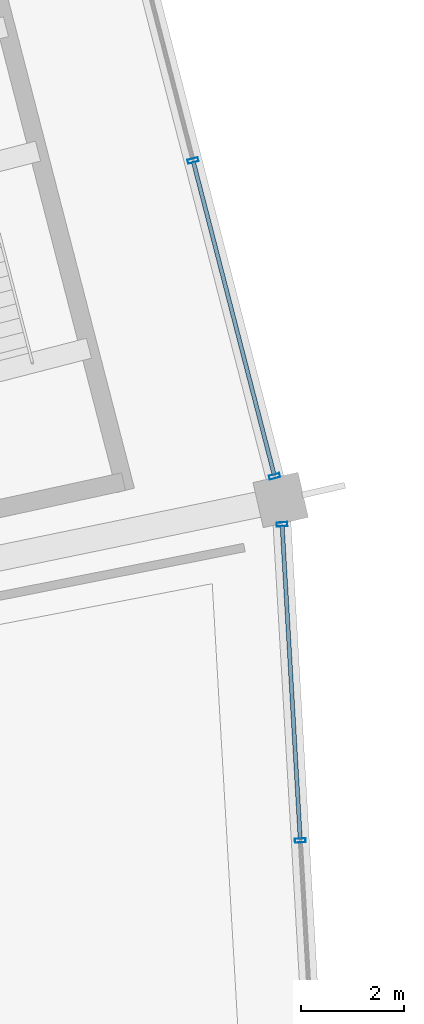
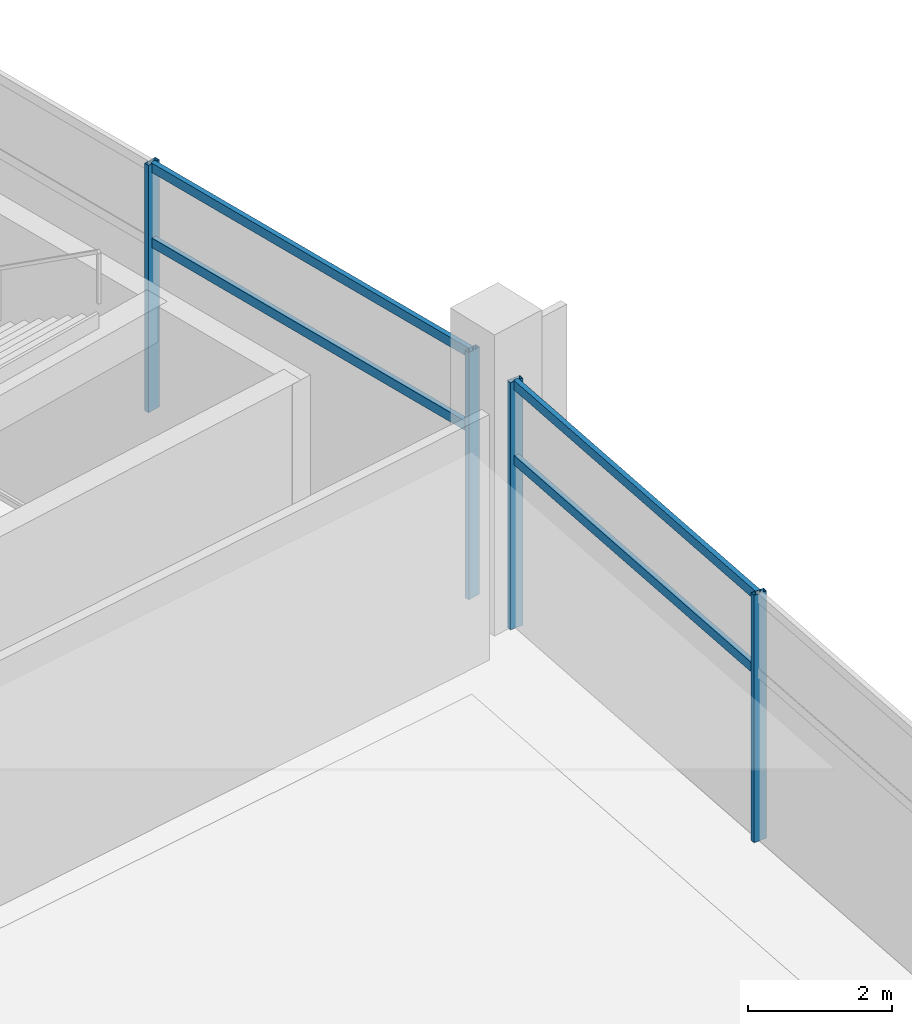
# One storey, part 90 of 184: 8 members, 2 elements without a shape of their own.
"""IFC4 building model written with IfcOpenShell, lengths in metres."""

from ifc_helpers import new_model, si_unit, direction, frame, origin, origin_2d, place, context, subcontext, project, spatial, hollow_rectangle, extrude, material, layer, layer_set, material_profile, profile_set, type_object, element, aggregate, save


model = new_model("IFC4")

# Units and contexts
model_context = context("Model", 3, precision=1e-05, world=origin(), true_north=direction((0.0, 1.0)))
body_context = subcontext(model_context, "Body", "Model", "MODEL_VIEW")
ifc_project = project(units=[si_unit("LENGTHUNIT", "METRE"), si_unit("AREAUNIT", "SQUARE_METRE"), si_unit("VOLUMEUNIT", "CUBIC_METRE"), si_unit("PLANEANGLEUNIT", "RADIAN"), si_unit("MASSUNIT", "GRAM", prefix="KILO")], contexts=[model_context])

# Site, building, storey
site_placement = place(None, origin())
site = spatial("IfcSite", under=ifc_project, at=site_placement, CompositionType="ELEMENT")
building_placement = place(site_placement, origin())
building = spatial("IfcBuilding", under=site, at=building_placement, Name="Kazemori Nagisa Stadium", CompositionType="ELEMENT")
storey_placement = place(building_placement, frame((0.0, 0.0, 10.5400390625)))
storey = spatial("IfcBuildingStorey", under=building, at=storey_placement, Name="L02", CompositionType="ELEMENT", Elevation=10.5400390625)

# Curtain wall, members
ifc_material_1 = material(Name="Anodised aluminium 6063-T5", Category="aluminium")
ifc_layer_1 = layer(ifc_material_1, 0.2099609375, Name="Anodised aluminium 6063-T5", Category="aluminium")
ifc_layer_set_1 = layer_set([ifc_layer_1], Name="Anodised aluminium 6063-T5")
curtain_wall_type_1 = type_object("IfcCurtainWallType", Name="CW_L02R3_93", PredefinedType="USERDEFINED", material=ifc_layer_set_1)
curtain_wall_1_placement = place(storey_placement, origin())
curtain_wall_1 = element("IfcCurtainWall", 1, at=curtain_wall_1_placement, inside=storey, type_object=curtain_wall_type_1, Name="Unitised curtain wall CW-L02R3-93 L02", ObjectType="UNITISED CURTAIN WALL", PredefinedType="USERDEFINED")
ifc_material_2 = material(Name="Aluminium 6063-T5 anodised", Category="aluminium")
ifc_material_profile_1 = material_profile(ifc_material_2, hollow_rectangle(XDim=0.080078125, YDim=0.2099609375, WallThickness=0.0048828125, at=origin_2d()), Name="ALU-MULL-80x210x5")
ifc_profile_set_1 = profile_set([ifc_material_profile_1], Name="Aluminium 6063-T5 anodised")
member_type_1 = type_object("IfcMemberType", Name="Mullion_M02", PredefinedType="MULLION", material=ifc_profile_set_1)
member_1_placement = place(storey_placement, frame((217.262939453125, 114.773681640625, 0.0), z_axis=(0.0, 0.0, 1.0), x_axis=(-0.057601670941, 0.998339645364, 0.0)))
member_1 = element("IfcMember", 2, at=member_1_placement, type_object=member_type_1, Name="Curtain wall mullion CW-L02R3-93-M3", PredefinedType="MULLION", context=body_context, shape_type="SweptSolid", body=[
    extrude(hollow_rectangle(XDim=0.080078125, YDim=0.2099609375, WallThickness=0.0048828125, at=origin_2d()), origin(), (0.0, 0.0, 1.0), 4.18994140625),
])
member_2_placement = place(storey_placement, frame((216.908203125, 120.923583984375, 0.0), z_axis=(0.0, 0.0, 1.0), x_axis=(-0.057601670941, 0.998339645364, 0.0)))
member_2 = element("IfcMember", 3, at=member_2_placement, type_object=member_type_1, Name="Curtain wall mullion CW-L02R3-93-M4", PredefinedType="MULLION", context=body_context, shape_type="SweptSolid", body=[
    extrude(hollow_rectangle(XDim=0.080078125, YDim=0.2099609375, WallThickness=0.0048828125, at=origin_2d()), origin(), (0.0, 0.0, 1.0), 4.18994140625),
])

ifc_layer_2 = layer(ifc_material_1, 0.2099609375, Name="Anodised aluminium 6063-T5", Category="aluminium")
ifc_layer_set_2 = layer_set([ifc_layer_2], Name="Anodised aluminium 6063-T5")
curtain_wall_type_2 = type_object("IfcCurtainWallType", Name="CW_L02R3_96", PredefinedType="USERDEFINED", material=ifc_layer_set_2)
curtain_wall_2_placement = place(storey_placement, origin())
curtain_wall_2 = element("IfcCurtainWall", 4, at=curtain_wall_2_placement, inside=storey, type_object=curtain_wall_type_2, Name="Unitised curtain wall CW-L02R3-96 L02", ObjectType="UNITISED CURTAIN WALL", PredefinedType="USERDEFINED")
member_3_placement = place(storey_placement, frame((216.761962890625, 121.857666015625, 0.0), z_axis=(0.0, 0.0, 1.0), x_axis=(-0.249964642418, 0.968254965152, 0.0)))
member_3 = element("IfcMember", 5, at=member_3_placement, type_object=member_type_1, Name="Curtain wall mullion CW-L02R3-96-M1", PredefinedType="MULLION", context=body_context, shape_type="SweptSolid", body=[
    extrude(hollow_rectangle(XDim=0.080078125, YDim=0.2099609375, WallThickness=0.0048828125, at=origin_2d()), origin(), (0.0, 0.0, 1.0), 4.18994140625),
])
member_4_placement = place(storey_placement, frame((215.176025390625, 128.001708984375, 0.0), z_axis=(0.0, 0.0, 1.0), x_axis=(-0.249964642418, 0.968254965152, 0.0)))
member_4 = element("IfcMember", 6, at=member_4_placement, type_object=member_type_1, Name="Curtain wall mullion CW-L02R3-96-M2", PredefinedType="MULLION", context=body_context, shape_type="SweptSolid", body=[
    extrude(hollow_rectangle(XDim=0.080078125, YDim=0.2099609375, WallThickness=0.0048828125, at=origin_2d()), origin(), (0.0, 0.0, 1.0), 4.18994140625),
])

# Member
ifc_material_profile_2 = material_profile(ifc_material_2, hollow_rectangle(XDim=0.080078125, YDim=0.159912109375, WallThickness=0.00390625, at=origin_2d()), Name="ALU-TRAN-80x160x4")
ifc_profile_set_2 = profile_set([ifc_material_profile_2], Name="Aluminium 6063-T5 anodised")
member_type_2 = type_object("IfcMemberType", Name="Transom_T02", PredefinedType="USERDEFINED", material=ifc_profile_set_2)
member_5_placement = place(storey_placement, frame((217.26171875, 114.793701171875, 2.84912109375), z_axis=(-0.057564421344, 0.998341793874, 0.0), x_axis=(-0.998341793874, -0.057564421344, 0.0)))
member_5 = element("IfcMember", 7, at=member_5_placement, type_object=member_type_2, Name="Curtain wall transom CW-L02R3-93-T3-mid", ObjectType="TRANSOM", PredefinedType="USERDEFINED", context=body_context, shape_type="SweptSolid", body=[
    extrude(hollow_rectangle(XDim=0.080078125, YDim=0.159912109375, WallThickness=0.00390625, at=origin_2d()), origin(), (0.0, 0.0, 1.0), 6.1201171875),
])

member_6_placement = place(storey_placement, frame((217.26171875, 114.793701171875, 4.119873046875), z_axis=(-0.057564421344, 0.998341793874, 0.0), x_axis=(-0.998341793874, -0.057564421344, 0.0)))
member_6 = element("IfcMember", 8, at=member_6_placement, type_object=member_type_2, Name="Curtain wall transom CW-L02R3-93-T3-head", ObjectType="TRANSOM", PredefinedType="USERDEFINED", context=body_context, shape_type="SweptSolid", body=[
    extrude(hollow_rectangle(XDim=0.080078125, YDim=0.159912109375, WallThickness=0.00390625, at=origin_2d()), origin(), (0.0, 0.0, 1.0), 6.1201171875),
])

aggregate(curtain_wall_1, [member_1, member_2, member_5, member_6])

member_7_placement = place(storey_placement, frame((216.757080078125, 121.876953125, 2.84912109375), z_axis=(-0.249971699633, 0.968253143234, 0.0), x_axis=(-0.968253143234, -0.249971699633, 0.0)))
member_7 = element("IfcMember", 9, at=member_7_placement, type_object=member_type_2, Name="Curtain wall transom CW-L02R3-96-T1-mid", ObjectType="TRANSOM", PredefinedType="USERDEFINED", context=body_context, shape_type="SweptSolid", body=[
    extrude(hollow_rectangle(XDim=0.080078125, YDim=0.159912109375, WallThickness=0.00390625, at=origin_2d()), origin(), (0.0, 0.0, 1.0), 6.305419921875),
])

member_8_placement = place(storey_placement, frame((216.757080078125, 121.876953125, 4.119873046875), z_axis=(-0.249971699633, 0.968253143234, 0.0), x_axis=(-0.968253143234, -0.249971699633, 0.0)))
member_8 = element("IfcMember", 10, at=member_8_placement, type_object=member_type_2, Name="Curtain wall transom CW-L02R3-96-T1-head", ObjectType="TRANSOM", PredefinedType="USERDEFINED", context=body_context, shape_type="SweptSolid", body=[
    extrude(hollow_rectangle(XDim=0.080078125, YDim=0.159912109375, WallThickness=0.00390625, at=origin_2d()), origin(), (0.0, 0.0, 1.0), 6.305419921875),
])

aggregate(curtain_wall_2, [member_3, member_4, member_7, member_8])

save(model, "model.ifc")
